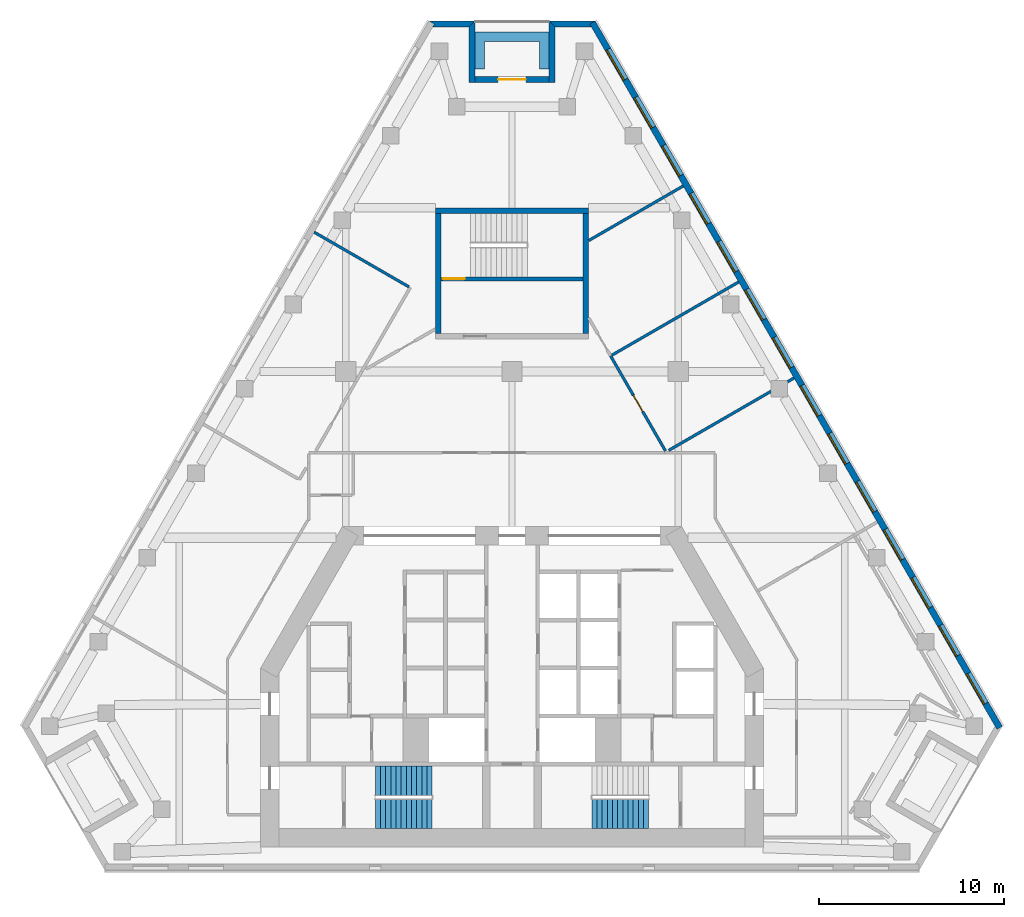
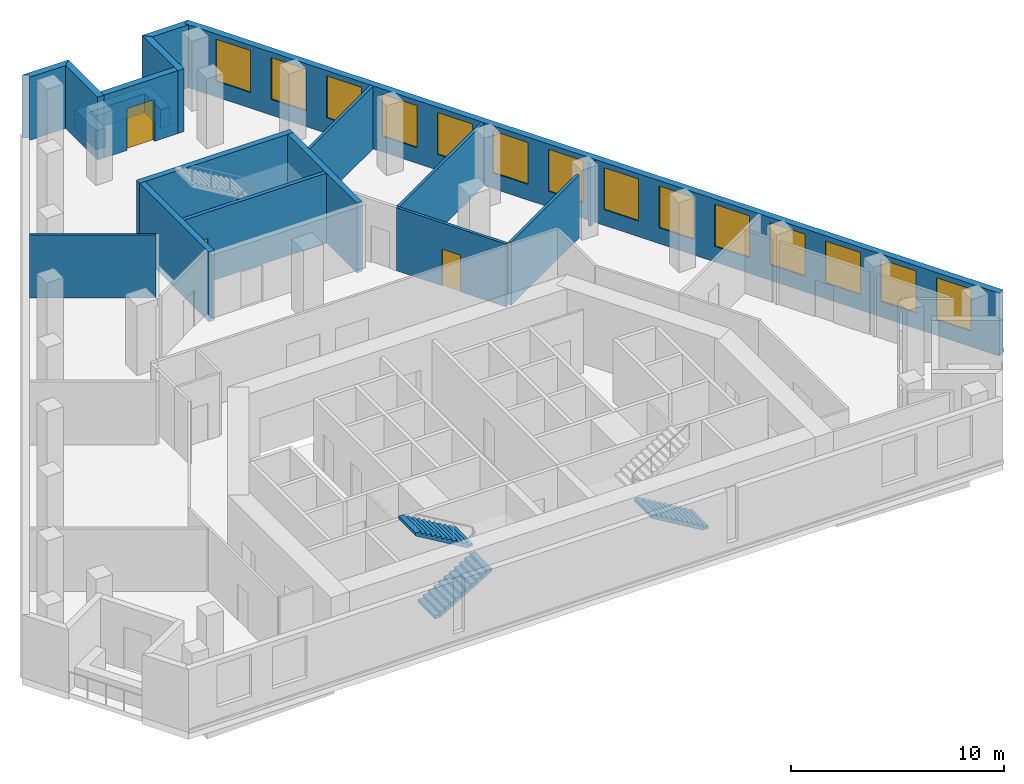
# One storey, part 6 of 8: 17 walls, 14 windows, 3 doors, 3 stair flights, 17 openings, 2 elements without a shape of their own.
"""IFC4 building model written with IfcOpenShell, lengths in metres."""

from ifc_helpers import new_model, si_unit, direction, frame, frame_2d, origin, place, context, subcontext, project, spatial, polyline, rectangle, outline, extrude, material, layer, layer_set, type_object, element, fill, aggregate, save


model = new_model("IFC4")

# Units and contexts
model_context = context("Model", 3, precision=1e-05, world=origin(), true_north=direction((0.0, 1.0)))
body_context = subcontext(model_context, "Body", "Model", "MODEL_VIEW")
ifc_project = project(units=[si_unit("LENGTHUNIT", "METRE"), si_unit("AREAUNIT", "SQUARE_METRE"), si_unit("VOLUMEUNIT", "CUBIC_METRE"), si_unit("PLANEANGLEUNIT", "RADIAN"), si_unit("MASSUNIT", "GRAM", prefix="KILO")], contexts=[model_context])

# Site, building, storey
site_placement = place(None, origin())
site = spatial("IfcSite", under=ifc_project, at=site_placement, CompositionType="ELEMENT")
building_placement = place(site_placement, origin())
building = spatial("IfcBuilding", under=site, at=building_placement, Name="Fogline Exchange Tower", CompositionType="ELEMENT")
storey_placement = place(building_placement, frame((0.0, 0.0, 239.5)))
storey = spatial("IfcBuildingStorey", under=building, at=storey_placement, Name="L54", CompositionType="ELEMENT", Elevation=239.5)

# Wall, opening, door
ifc_material_1 = material(Name="Concrete C40", Category="concrete")
ifc_layer_1 = layer(ifc_material_1, 0.199951171875)
ifc_layer_set_1 = layer_set([ifc_layer_1], Name="CW20R")
wall_type_1 = type_object("IfcWallType", Name="CW20R", PredefinedType="SOLIDWALL", material=ifc_layer_set_1)
wall_1_placement = place(storey_placement, frame((-3.85009765625, 32.007080078125, -0.39990234375), z_axis=(0.0, 0.0, 1.0), x_axis=(1.0, 0.0, 0.0)))
wall_1 = element("IfcWall", 1, at=wall_1_placement, inside=storey, type_object=wall_type_1, Name="Stair enclosure wall ST3", PredefinedType="SOLIDWALL", context=body_context, shape_type="SweptSolid", body=[
    extrude(rectangle(XDim=7.7001953125, YDim=0.199951171875, at=frame_2d((3.85009765625, 0.0))), origin(), (0.0, 0.0, 1.0), 4.0),
])
opening_1_placement = place(wall_1_placement, frame((0.10009765625, 0.0, 0.39990234375)))
opening_1 = element("IfcOpeningElement", 2, at=opening_1_placement, cuts=wall_1, Name="Opening T17-C026", PredefinedType="OPENING", context=body_context, shape_type="SweptSolid", body=[
    extrude(rectangle(XDim=1.199951171875, YDim=2.10009765625, at=frame_2d((0.60009765625, 1.050048828125))), frame((0.0, 0.10986328125, 0.0), z_axis=(0.0, -1.0, 0.0), x_axis=(1.0, 0.0, 0.0)), (0.0, 0.0, 1.0), 0.219970703125),
])
ifc_material_2 = material(Name="Steel and timber fire door", Category="steel")
door_type_1 = type_object("IfcDoorType", Name="D-ST1", OperationType="SINGLE_SWING_LEFT", PredefinedType="DOOR", material=ifc_material_2)
door_1_placement = place(opening_1_placement, origin())
door_1 = element("IfcDoor", 3, at=door_1_placement, inside=storey, type_object=door_type_1, Name="Stair door ST3", OperationType="SINGLE_SWING_LEFT", OverallHeight=2.10009765625, OverallWidth=1.199951171875, PredefinedType="DOOR", context=body_context, shape_type="SweptSolid", body=[
    extrude(rectangle(XDim=1.199951171875, YDim=2.10009765625, at=frame_2d((0.60009765625, 1.050048828125))), frame((0.0, 0.02490234375, 0.0), z_axis=(0.0, -1.0, 0.0), x_axis=(1.0, 0.0, 0.0)), (0.0, 0.0, 1.0), 0.050048828125),
])
fill(opening_1, door_1)

# Walls
ifc_layer_2 = layer(ifc_material_1, 0.300048828125)
ifc_layer_set_2 = layer_set([ifc_layer_2], Name="CW30")
wall_type_2 = type_object("IfcWallType", Name="CW30", PredefinedType="SOLIDWALL", material=ifc_layer_set_2)
wall_2_placement = place(storey_placement, frame((-4.14990234375, 35.70703125, -0.39990234375), z_axis=(0.0, 0.0, 1.0), x_axis=(1.0, 0.0, 0.0)))
element("IfcWall", 4, at=wall_2_placement, inside=storey, type_object=wall_type_2, Name="Stair enclosure wall ST3", PredefinedType="SOLIDWALL", context=body_context, shape_type="SweptSolid", body=[
    extrude(rectangle(XDim=8.2998046875, YDim=0.300048828125, at=frame_2d((4.14990234375, 0.0))), origin(), (0.0, 0.0, 1.0), 4.0),
])
for number, where, z_axis, x_axis, name in (
    (5, (-4.0, 29.056884765625, -0.39990234375), (0.0, 0.0, 1.0), (0.0, 1.0, 0.0), "Stair enclosure wall ST3"),
    (6, (4.0, 29.056884765625, -0.39990234375), (0.0, 0.0, 1.0), (0.0, 1.0, 0.0), "Stair enclosure wall ST3"),
):
    element("IfcWall", number, at=place(storey_placement, frame(where, z_axis=z_axis, x_axis=x_axis)), inside=storey, type_object=wall_type_2, Name=name, PredefinedType="SOLIDWALL", context=body_context, shape_type="SweptSolid", body=[
        extrude(rectangle(XDim=6.5, YDim=0.300048828125, at=frame_2d((3.25, 0.0))), origin(), (0.0, 0.0, 1.0), 4.0),
    ])

# Wall, openings, windows
ifc_material_3 = material(Name="Brick masonry", Category="masonry")
ifc_layer_3 = layer(ifc_material_3, 0.340087890625)
ifc_layer_set_3 = layer_set([ifc_layer_3], Name="FW1")
wall_type_3 = type_object("IfcWallType", Name="FW1", PredefinedType="SOLIDWALL", material=ifc_layer_set_3)
wall_3_placement = place(storey_placement, frame((26.39453125, 7.709228515625, 0.0), z_axis=(0.0, 0.0, 1.0), x_axis=(-0.499999383836, 0.866025759527, 0.0)))
wall_3 = element("IfcWall", 7, at=wall_3_placement, inside=storey, type_object=wall_type_3, Name="Brick wall L54 E", PredefinedType="SOLIDWALL", context=body_context, shape_type="SweptSolid", body=[
    extrude(rectangle(XDim=44.08349609375, YDim=0.340087890625, at=frame_2d((22.041748046875, 0.0))), origin(), (0.0, 0.0, 1.0), 3.60009765625),
])
opening_2_placement = place(wall_3_placement, frame((1.520751953125, 0.0, 0.89990234375)))
opening_2 = element("IfcOpeningElement", 8, at=opening_2_placement, cuts=wall_3, Name="Opening W1", PredefinedType="OPENING", context=body_context, shape_type="SweptSolid", body=[
    extrude(rectangle(XDim=1.885009765625, YDim=2.39990234375, at=frame_2d((0.9423828125, 1.199951171875))), frame((0.0, 0.18017578125, 0.0), z_axis=(0.0, -1.0, 0.0), x_axis=(1.0, 0.0, 0.0)), (0.0, 0.0, 1.0), 0.360107421875),
])
opening_3_placement = place(wall_3_placement, frame((4.520751953125, 0.0, 0.89990234375)))
opening_3 = element("IfcOpeningElement", 9, at=opening_3_placement, cuts=wall_3, Name="Opening W1", PredefinedType="OPENING", context=body_context, shape_type="SweptSolid", body=[
    extrude(rectangle(XDim=1.885009765625, YDim=2.39990234375, at=frame_2d((0.9423828125, 1.199951171875))), frame((0.0, 0.18017578125, 0.0), z_axis=(0.0, -1.0, 0.0), x_axis=(1.0, 0.0, 0.0)), (0.0, 0.0, 1.0), 0.360107421875),
])
opening_4_placement = place(wall_3_placement, frame((7.520751953125, 0.0, 0.89990234375)))
opening_4 = element("IfcOpeningElement", 10, at=opening_4_placement, cuts=wall_3, Name="Opening W1", PredefinedType="OPENING", context=body_context, shape_type="SweptSolid", body=[
    extrude(rectangle(XDim=1.885009765625, YDim=2.39990234375, at=frame_2d((0.9423828125, 1.199951171875))), frame((0.0, 0.18017578125, 0.0), z_axis=(0.0, -1.0, 0.0), x_axis=(1.0, 0.0, 0.0)), (0.0, 0.0, 1.0), 0.360107421875),
])
opening_5_placement = place(wall_3_placement, frame((10.520751953125, 0.0, 0.89990234375)))
opening_5 = element("IfcOpeningElement", 11, at=opening_5_placement, cuts=wall_3, Name="Opening W1", PredefinedType="OPENING", context=body_context, shape_type="SweptSolid", body=[
    extrude(rectangle(XDim=1.885009765625, YDim=2.39990234375, at=frame_2d((0.9423828125, 1.199951171875))), frame((0.0, 0.18017578125, 0.0), z_axis=(0.0, -1.0, 0.0), x_axis=(1.0, 0.0, 0.0)), (0.0, 0.0, 1.0), 0.360107421875),
])
opening_6_placement = place(wall_3_placement, frame((13.520751953125, 0.0, 0.89990234375)))
opening_6 = element("IfcOpeningElement", 12, at=opening_6_placement, cuts=wall_3, Name="Opening W1", PredefinedType="OPENING", context=body_context, shape_type="SweptSolid", body=[
    extrude(rectangle(XDim=1.885009765625, YDim=2.39990234375, at=frame_2d((0.9423828125, 1.199951171875))), frame((0.0, 0.18017578125, 0.0), z_axis=(0.0, -1.0, 0.0), x_axis=(1.0, 0.0, 0.0)), (0.0, 0.0, 1.0), 0.360107421875),
])
opening_7_placement = place(wall_3_placement, frame((16.520751953125, 0.0, 0.89990234375)))
opening_7 = element("IfcOpeningElement", 13, at=opening_7_placement, cuts=wall_3, Name="Opening W1", PredefinedType="OPENING", context=body_context, shape_type="SweptSolid", body=[
    extrude(rectangle(XDim=1.885009765625, YDim=2.39990234375, at=frame_2d((0.9423828125, 1.199951171875))), frame((0.0, 0.18017578125, 0.0), z_axis=(0.0, -1.0, 0.0), x_axis=(1.0, 0.0, 0.0)), (0.0, 0.0, 1.0), 0.360107421875),
])
opening_8_placement = place(wall_3_placement, frame((19.520751953125, 0.0, 0.89990234375)))
opening_8 = element("IfcOpeningElement", 14, at=opening_8_placement, cuts=wall_3, Name="Opening W1", PredefinedType="OPENING", context=body_context, shape_type="SweptSolid", body=[
    extrude(rectangle(XDim=1.885009765625, YDim=2.39990234375, at=frame_2d((0.9423828125, 1.199951171875))), frame((0.0, 0.18017578125, 0.0), z_axis=(0.0, -1.0, 0.0), x_axis=(1.0, 0.0, 0.0)), (0.0, 0.0, 1.0), 0.360107421875),
])
opening_9_placement = place(wall_3_placement, frame((22.520751953125, 0.0, 0.89990234375)))
opening_9 = element("IfcOpeningElement", 15, at=opening_9_placement, cuts=wall_3, Name="Opening W1", PredefinedType="OPENING", context=body_context, shape_type="SweptSolid", body=[
    extrude(rectangle(XDim=1.885009765625, YDim=2.39990234375, at=frame_2d((0.9423828125, 1.199951171875))), frame((0.0, 0.18017578125, 0.0), z_axis=(0.0, -1.0, 0.0), x_axis=(1.0, 0.0, 0.0)), (0.0, 0.0, 1.0), 0.360107421875),
])
opening_10_placement = place(wall_3_placement, frame((25.520751953125, 0.0, 0.89990234375)))
opening_10 = element("IfcOpeningElement", 16, at=opening_10_placement, cuts=wall_3, Name="Opening W1", PredefinedType="OPENING", context=body_context, shape_type="SweptSolid", body=[
    extrude(rectangle(XDim=1.885009765625, YDim=2.39990234375, at=frame_2d((0.9423828125, 1.199951171875))), frame((0.0, 0.18017578125, 0.0), z_axis=(0.0, -1.0, 0.0), x_axis=(1.0, 0.0, 0.0)), (0.0, 0.0, 1.0), 0.360107421875),
])
opening_11_placement = place(wall_3_placement, frame((28.520751953125, 0.0, 0.89990234375)))
opening_11 = element("IfcOpeningElement", 17, at=opening_11_placement, cuts=wall_3, Name="Opening W1", PredefinedType="OPENING", context=body_context, shape_type="SweptSolid", body=[
    extrude(rectangle(XDim=1.885009765625, YDim=2.39990234375, at=frame_2d((0.9423828125, 1.199951171875))), frame((0.0, 0.18017578125, 0.0), z_axis=(0.0, -1.0, 0.0), x_axis=(1.0, 0.0, 0.0)), (0.0, 0.0, 1.0), 0.360107421875),
])
opening_12_placement = place(wall_3_placement, frame((31.520751953125, 0.0, 0.89990234375)))
opening_12 = element("IfcOpeningElement", 18, at=opening_12_placement, cuts=wall_3, Name="Opening W1", PredefinedType="OPENING", context=body_context, shape_type="SweptSolid", body=[
    extrude(rectangle(XDim=1.885009765625, YDim=2.39990234375, at=frame_2d((0.9423828125, 1.199951171875))), frame((0.0, 0.18017578125, 0.0), z_axis=(0.0, -1.0, 0.0), x_axis=(1.0, 0.0, 0.0)), (0.0, 0.0, 1.0), 0.360107421875),
])
opening_13_placement = place(wall_3_placement, frame((34.520751953125, 0.0, 0.89990234375)))
opening_13 = element("IfcOpeningElement", 19, at=opening_13_placement, cuts=wall_3, Name="Opening W1", PredefinedType="OPENING", context=body_context, shape_type="SweptSolid", body=[
    extrude(rectangle(XDim=1.885009765625, YDim=2.39990234375, at=frame_2d((0.9423828125, 1.199951171875))), frame((0.0, 0.18017578125, 0.0), z_axis=(0.0, -1.0, 0.0), x_axis=(1.0, 0.0, 0.0)), (0.0, 0.0, 1.0), 0.360107421875),
])
opening_14_placement = place(wall_3_placement, frame((37.520751953125, 0.0, 0.89990234375)))
opening_14 = element("IfcOpeningElement", 20, at=opening_14_placement, cuts=wall_3, Name="Opening W1", PredefinedType="OPENING", context=body_context, shape_type="SweptSolid", body=[
    extrude(rectangle(XDim=1.885009765625, YDim=2.39990234375, at=frame_2d((0.9423828125, 1.199951171875))), frame((0.0, 0.18017578125, 0.0), z_axis=(0.0, -1.0, 0.0), x_axis=(1.0, 0.0, 0.0)), (0.0, 0.0, 1.0), 0.360107421875),
])
opening_15_placement = place(wall_3_placement, frame((40.520751953125, 0.0, 0.89990234375)))
opening_15 = element("IfcOpeningElement", 21, at=opening_15_placement, cuts=wall_3, Name="Opening W1", PredefinedType="OPENING", context=body_context, shape_type="SweptSolid", body=[
    extrude(rectangle(XDim=1.885009765625, YDim=2.39990234375, at=frame_2d((0.9423828125, 1.199951171875))), frame((0.0, 0.18017578125, 0.0), z_axis=(0.0, -1.0, 0.0), x_axis=(1.0, 0.0, 0.0)), (0.0, 0.0, 1.0), 0.360107421875),
])
ifc_material_4 = material(Name="Aluminium and glass", Category="aluminium")
window_type = type_object("IfcWindowType", Name="W1", PartitioningType="SINGLE_PANEL", PredefinedType="WINDOW", material=ifc_material_4)
window_1_placement = place(opening_2_placement, origin())
window_1 = element("IfcWindow", 22, at=window_1_placement, inside=storey, type_object=window_type, Name="W1 W1", OverallHeight=2.39990234375, OverallWidth=1.885009765625, PartitioningType="SINGLE_PANEL", PredefinedType="WINDOW", context=body_context, shape_type="SweptSolid", body=[
    extrude(rectangle(XDim=1.885009765625, YDim=2.39990234375, at=frame_2d((0.9423828125, 1.199951171875))), frame((0.0, 0.110107421875, 0.0), z_axis=(0.0, -1.0, 0.0), x_axis=(1.0, 0.0, 0.0)), (0.0, 0.0, 1.0), 0.06005859375),
])
fill(opening_2, window_1)
window_2_placement = place(opening_3_placement, origin())
window_2 = element("IfcWindow", 23, at=window_2_placement, inside=storey, type_object=window_type, Name="W1 W1", OverallHeight=2.39990234375, OverallWidth=1.885009765625, PartitioningType="SINGLE_PANEL", PredefinedType="WINDOW", context=body_context, shape_type="SweptSolid", body=[
    extrude(rectangle(XDim=1.885009765625, YDim=2.39990234375, at=frame_2d((0.9423828125, 1.199951171875))), frame((0.0, 0.110107421875, 0.0), z_axis=(0.0, -1.0, 0.0), x_axis=(1.0, 0.0, 0.0)), (0.0, 0.0, 1.0), 0.06005859375),
])
fill(opening_3, window_2)
window_3_placement = place(opening_4_placement, origin())
window_3 = element("IfcWindow", 24, at=window_3_placement, inside=storey, type_object=window_type, Name="W1 W1", OverallHeight=2.39990234375, OverallWidth=1.885009765625, PartitioningType="SINGLE_PANEL", PredefinedType="WINDOW", context=body_context, shape_type="SweptSolid", body=[
    extrude(rectangle(XDim=1.885009765625, YDim=2.39990234375, at=frame_2d((0.9423828125, 1.199951171875))), frame((0.0, 0.110107421875, 0.0), z_axis=(0.0, -1.0, 0.0), x_axis=(1.0, 0.0, 0.0)), (0.0, 0.0, 1.0), 0.06005859375),
])
fill(opening_4, window_3)
window_4_placement = place(opening_5_placement, origin())
window_4 = element("IfcWindow", 25, at=window_4_placement, inside=storey, type_object=window_type, Name="W1 W1", OverallHeight=2.39990234375, OverallWidth=1.885009765625, PartitioningType="SINGLE_PANEL", PredefinedType="WINDOW", context=body_context, shape_type="SweptSolid", body=[
    extrude(rectangle(XDim=1.885009765625, YDim=2.39990234375, at=frame_2d((0.9423828125, 1.199951171875))), frame((0.0, 0.110107421875, 0.0), z_axis=(0.0, -1.0, 0.0), x_axis=(1.0, 0.0, 0.0)), (0.0, 0.0, 1.0), 0.06005859375),
])
fill(opening_5, window_4)
window_5_placement = place(opening_6_placement, origin())
window_5 = element("IfcWindow", 26, at=window_5_placement, inside=storey, type_object=window_type, Name="W1 W1", OverallHeight=2.39990234375, OverallWidth=1.885009765625, PartitioningType="SINGLE_PANEL", PredefinedType="WINDOW", context=body_context, shape_type="SweptSolid", body=[
    extrude(rectangle(XDim=1.885009765625, YDim=2.39990234375, at=frame_2d((0.9423828125, 1.199951171875))), frame((0.0, 0.110107421875, 0.0), z_axis=(0.0, -1.0, 0.0), x_axis=(1.0, 0.0, 0.0)), (0.0, 0.0, 1.0), 0.06005859375),
])
fill(opening_6, window_5)
window_6_placement = place(opening_7_placement, origin())
window_6 = element("IfcWindow", 27, at=window_6_placement, inside=storey, type_object=window_type, Name="W1 W1", OverallHeight=2.39990234375, OverallWidth=1.885009765625, PartitioningType="SINGLE_PANEL", PredefinedType="WINDOW", context=body_context, shape_type="SweptSolid", body=[
    extrude(rectangle(XDim=1.885009765625, YDim=2.39990234375, at=frame_2d((0.9423828125, 1.199951171875))), frame((0.0, 0.110107421875, 0.0), z_axis=(0.0, -1.0, 0.0), x_axis=(1.0, 0.0, 0.0)), (0.0, 0.0, 1.0), 0.06005859375),
])
fill(opening_7, window_6)
window_7_placement = place(opening_8_placement, origin())
window_7 = element("IfcWindow", 28, at=window_7_placement, inside=storey, type_object=window_type, Name="W1 W1", OverallHeight=2.39990234375, OverallWidth=1.885009765625, PartitioningType="SINGLE_PANEL", PredefinedType="WINDOW", context=body_context, shape_type="SweptSolid", body=[
    extrude(rectangle(XDim=1.885009765625, YDim=2.39990234375, at=frame_2d((0.9423828125, 1.199951171875))), frame((0.0, 0.110107421875, 0.0), z_axis=(0.0, -1.0, 0.0), x_axis=(1.0, 0.0, 0.0)), (0.0, 0.0, 1.0), 0.06005859375),
])
fill(opening_8, window_7)
window_8_placement = place(opening_9_placement, origin())
window_8 = element("IfcWindow", 29, at=window_8_placement, inside=storey, type_object=window_type, Name="W1 W1", OverallHeight=2.39990234375, OverallWidth=1.885009765625, PartitioningType="SINGLE_PANEL", PredefinedType="WINDOW", context=body_context, shape_type="SweptSolid", body=[
    extrude(rectangle(XDim=1.885009765625, YDim=2.39990234375, at=frame_2d((0.9423828125, 1.199951171875))), frame((0.0, 0.110107421875, 0.0), z_axis=(0.0, -1.0, 0.0), x_axis=(1.0, 0.0, 0.0)), (0.0, 0.0, 1.0), 0.06005859375),
])
fill(opening_9, window_8)
window_9_placement = place(opening_10_placement, origin())
window_9 = element("IfcWindow", 30, at=window_9_placement, inside=storey, type_object=window_type, Name="W1 W1", OverallHeight=2.39990234375, OverallWidth=1.885009765625, PartitioningType="SINGLE_PANEL", PredefinedType="WINDOW", context=body_context, shape_type="SweptSolid", body=[
    extrude(rectangle(XDim=1.885009765625, YDim=2.39990234375, at=frame_2d((0.9423828125, 1.199951171875))), frame((0.0, 0.110107421875, 0.0), z_axis=(0.0, -1.0, 0.0), x_axis=(1.0, 0.0, 0.0)), (0.0, 0.0, 1.0), 0.06005859375),
])
fill(opening_10, window_9)
window_10_placement = place(opening_11_placement, origin())
window_10 = element("IfcWindow", 31, at=window_10_placement, inside=storey, type_object=window_type, Name="W1 W1", OverallHeight=2.39990234375, OverallWidth=1.885009765625, PartitioningType="SINGLE_PANEL", PredefinedType="WINDOW", context=body_context, shape_type="SweptSolid", body=[
    extrude(rectangle(XDim=1.885009765625, YDim=2.39990234375, at=frame_2d((0.9423828125, 1.199951171875))), frame((0.0, 0.110107421875, 0.0), z_axis=(0.0, -1.0, 0.0), x_axis=(1.0, 0.0, 0.0)), (0.0, 0.0, 1.0), 0.06005859375),
])
fill(opening_11, window_10)
window_11_placement = place(opening_12_placement, origin())
window_11 = element("IfcWindow", 32, at=window_11_placement, inside=storey, type_object=window_type, Name="W1 W1", OverallHeight=2.39990234375, OverallWidth=1.885009765625, PartitioningType="SINGLE_PANEL", PredefinedType="WINDOW", context=body_context, shape_type="SweptSolid", body=[
    extrude(rectangle(XDim=1.885009765625, YDim=2.39990234375, at=frame_2d((0.9423828125, 1.199951171875))), frame((0.0, 0.110107421875, 0.0), z_axis=(0.0, -1.0, 0.0), x_axis=(1.0, 0.0, 0.0)), (0.0, 0.0, 1.0), 0.06005859375),
])
fill(opening_12, window_11)
window_12_placement = place(opening_13_placement, origin())
window_12 = element("IfcWindow", 33, at=window_12_placement, inside=storey, type_object=window_type, Name="W1 W1", OverallHeight=2.39990234375, OverallWidth=1.885009765625, PartitioningType="SINGLE_PANEL", PredefinedType="WINDOW", context=body_context, shape_type="SweptSolid", body=[
    extrude(rectangle(XDim=1.885009765625, YDim=2.39990234375, at=frame_2d((0.9423828125, 1.199951171875))), frame((0.0, 0.110107421875, 0.0), z_axis=(0.0, -1.0, 0.0), x_axis=(1.0, 0.0, 0.0)), (0.0, 0.0, 1.0), 0.06005859375),
])
fill(opening_13, window_12)
window_13_placement = place(opening_14_placement, origin())
window_13 = element("IfcWindow", 34, at=window_13_placement, inside=storey, type_object=window_type, Name="W1 W1", OverallHeight=2.39990234375, OverallWidth=1.885009765625, PartitioningType="SINGLE_PANEL", PredefinedType="WINDOW", context=body_context, shape_type="SweptSolid", body=[
    extrude(rectangle(XDim=1.885009765625, YDim=2.39990234375, at=frame_2d((0.9423828125, 1.199951171875))), frame((0.0, 0.110107421875, 0.0), z_axis=(0.0, -1.0, 0.0), x_axis=(1.0, 0.0, 0.0)), (0.0, 0.0, 1.0), 0.06005859375),
])
fill(opening_14, window_13)
window_14_placement = place(opening_15_placement, origin())
window_14 = element("IfcWindow", 35, at=window_14_placement, inside=storey, type_object=window_type, Name="W1 W1", OverallHeight=2.39990234375, OverallWidth=1.885009765625, PartitioningType="SINGLE_PANEL", PredefinedType="WINDOW", context=body_context, shape_type="SweptSolid", body=[
    extrude(rectangle(XDim=1.885009765625, YDim=2.39990234375, at=frame_2d((0.9423828125, 1.199951171875))), frame((0.0, 0.110107421875, 0.0), z_axis=(0.0, -1.0, 0.0), x_axis=(1.0, 0.0, 0.0)), (0.0, 0.0, 1.0), 0.06005859375),
])
fill(opening_15, window_14)

# Walls
wall_4_placement = place(storey_placement, origin())
element("IfcWall", 36, at=wall_4_placement, inside=storey, type_object=wall_type_3, Name="Brick wall L54 N-c1", PredefinedType="SOLIDWALL", context=body_context, shape_type="SweptSolid", body=[
    extrude(outline(polyline([(1.9990234375, 45.97216796875), (4.5009765625, 45.97216796875), (4.501220703125, 45.9716796875), (4.206298828125, 45.801513671875), (4.3046875, 45.631103515625), (2.33984375, 45.631103515625), (1.998779296875, 45.971923828125), (1.9990234375, 45.97216796875)])), origin(), (0.0, 0.0, 1.0), 3.60009765625),
])
wall_5_placement = place(storey_placement, origin())
element("IfcWall", 37, at=wall_5_placement, inside=storey, type_object=wall_type_3, Name="Brick wall L54 N-s1", PredefinedType="SOLIDWALL", context=body_context, shape_type="SweptSolid", body=[
    extrude(outline(polyline([(2.340576171875, 42.631103515625), (1.99951171875, 42.631103515625), (1.99951171875, 45.97265625), (1.999755859375, 45.972900390625), (2.340576171875, 45.6318359375), (2.340576171875, 42.631103515625)])), origin(), (0.0, 0.0, 1.0), 3.60009765625),
])

# Wall, opening, door
wall_6_placement = place(storey_placement, frame((2.0, 42.8017578125, 0.0), z_axis=(0.0, 0.0, 1.0), x_axis=(-1.0, 0.0, 0.0)))
wall_6 = element("IfcWall", 38, at=wall_6_placement, inside=storey, type_object=wall_type_3, Name="Brick wall L54 N-bk", PredefinedType="SOLIDWALL", context=body_context, shape_type="SweptSolid", body=[
    extrude(rectangle(XDim=4.0, YDim=0.340087890625, at=frame_2d((2.0, 0.0))), origin(), (0.0, 0.0, 1.0), 3.60009765625),
])
opening_16_placement = place(wall_6_placement, frame((1.25, 0.0, 0.0)))
opening_16 = element("IfcOpeningElement", 39, at=opening_16_placement, cuts=wall_6, Name="Opening T17-E141", PredefinedType="OPENING", context=body_context, shape_type="SweptSolid", body=[
    extrude(rectangle(XDim=1.5, YDim=2.39990234375, at=frame_2d((0.75, 1.199951171875))), frame((0.0, 0.18017578125, 0.0), z_axis=(0.0, -1.0, 0.0), x_axis=(1.0, 0.0, 0.0)), (0.0, 0.0, 1.0), 0.360107421875),
])
door_type_2 = type_object("IfcDoorType", Name="ED4", OperationType="SINGLE_SWING_LEFT", PredefinedType="DOOR", material=ifc_material_4)
door_2_placement = place(opening_16_placement, frame((1.5, 0.0, 0.0), z_axis=(0.0, 0.0, 1.0), x_axis=(-1.0, 0.0, 0.0)))
door_2 = element("IfcDoor", 40, at=door_2_placement, inside=storey, type_object=door_type_2, Name="Balcony door L54 N", OperationType="DOUBLE_DOOR_SINGLE_SWING", OverallHeight=2.39990234375, OverallWidth=1.5, PredefinedType="DOOR", context=body_context, shape_type="SweptSolid", body=[
    extrude(rectangle(XDim=1.5, YDim=2.39990234375, at=frame_2d((0.75, 1.199951171875))), frame((0.0, 0.02490234375, 0.0), z_axis=(0.0, -1.0, 0.0), x_axis=(1.0, 0.0, 0.0)), (0.0, 0.0, 1.0), 0.050048828125),
])
fill(opening_16, door_2)

# Walls
wall_7_placement = place(storey_placement, origin())
element("IfcWall", 41, at=wall_7_placement, inside=storey, type_object=wall_type_3, Name="Brick wall L54 N-s2", PredefinedType="SOLIDWALL", context=body_context, shape_type="SweptSolid", body=[
    extrude(outline(polyline([(-1.99951171875, 45.97265625), (-1.99951171875, 42.631103515625), (-2.340576171875, 42.631103515625), (-2.340576171875, 45.6318359375), (-1.999755859375, 45.972900390625), (-1.99951171875, 45.97265625)])), origin(), (0.0, 0.0, 1.0), 3.60009765625),
])
wall_8_placement = place(storey_placement, origin())
element("IfcWall", 42, at=wall_8_placement, inside=storey, type_object=wall_type_3, Name="Brick wall L54 N-c2", PredefinedType="SOLIDWALL", context=body_context, shape_type="SweptSolid", body=[
    extrude(outline(polyline([(-4.3046875, 45.631103515625), (-4.206298828125, 45.801513671875), (-4.501220703125, 45.9716796875), (-4.5009765625, 45.97216796875), (-1.9990234375, 45.97216796875), (-1.998779296875, 45.971923828125), (-2.33984375, 45.631103515625), (-4.3046875, 45.631103515625)])), origin(), (0.0, 0.0, 1.0), 3.60009765625),
])
ifc_material_5 = material(Name="Concrete C30", Category="concrete")
ifc_layer_4 = layer(ifc_material_5, 0.199951171875)
ifc_layer_set_4 = layer_set([ifc_layer_4], Name="PL1")
wall_type_4 = type_object("IfcWallType", Name="PL1", PredefinedType="USERDEFINED", material=ifc_layer_set_4)
wall_9_placement = place(storey_placement, origin())
element("IfcWall", 43, at=wall_9_placement, inside=storey, type_object=wall_type_4, Name="PLANTER balcony L54 N", ObjectType="PLANTER", PredefinedType="USERDEFINED", context=body_context, shape_type="SweptSolid", body=[
    extrude(outline(polyline([(-1.5, 45.37158203125), (-2.0, 45.37158203125), (-2.0, 44.87158203125), (-2.0, 43.37158203125), (-1.5, 43.37158203125), (-1.5, 44.87158203125), (1.5, 44.87158203125), (1.5, 43.37158203125), (2.0, 43.37158203125), (2.0, 44.87158203125), (2.0, 45.37158203125), (1.5, 45.37158203125), (-1.5, 45.37158203125)])), origin(), (0.0, 0.0, 1.0), 1.10009765625),
])
ifc_material_6 = material(Name="Plasterboard demising partition with mineral wool and acoustic board")
ifc_layer_5 = layer(ifc_material_6, 0.14990234375)
ifc_layer_set_5 = layer_set([ifc_layer_5], Name="PW3")
wall_type_5 = type_object("IfcWallType", Name="PW3", PredefinedType="PARTITIONING", material=ifc_layer_set_5)
wall_10_placement = place(storey_placement, frame((8.48046875, 22.727783203125, 0.0), z_axis=(0.0, 0.0, 1.0), x_axis=(0.86602855878, 0.499994535347, 0.0)))
element("IfcWall", 44, at=wall_10_placement, inside=storey, type_object=wall_type_5, Name="wall-L54-W015", PredefinedType="PARTITIONING", context=body_context, shape_type="SweptSolid", body=[
    extrude(rectangle(XDim=6.39501953125, YDim=0.14990234375, at=frame_2d((3.197509765625, 0.0))), origin(), (0.0, 0.0, 1.0), 3.60009765625),
])
wall_11_placement = place(storey_placement, frame((14.918701171875, 26.44482421875, 0.0), z_axis=(0.0, 0.0, 1.0), x_axis=(0.866134844219, 0.499810395679, 0.0)))
element("IfcWall", 45, at=wall_11_placement, inside=storey, type_object=wall_type_5, Name="wall-L54-W016", PredefinedType="PARTITIONING", context=body_context, shape_type="SweptSolid", body=[
    extrude(rectangle(XDim=0.400634765625, YDim=0.14990234375, at=frame_2d((0.2001953125, 0.0))), origin(), (0.0, 0.0, 1.0), 3.60009765625),
])
wall_12_placement = place(storey_placement, frame((5.40234375, 27.878662109375, 0.0), z_axis=(0.0, 0.0, 1.0), x_axis=(0.866018344059, 0.500012227604, 0.0)))
element("IfcWall", 46, at=wall_12_placement, inside=storey, type_object=wall_type_5, Name="wall-L54-W019", PredefinedType="PARTITIONING", context=body_context, shape_type="SweptSolid", body=[
    extrude(rectangle(XDim=7.925048828125, YDim=0.14990234375, at=frame_2d((3.96240234375, 0.0))), origin(), (0.0, 0.0, 1.0), 3.60009765625),
])

# Wall, opening, door
wall_13_placement = place(storey_placement, frame((8.305419921875, 22.700439453125, 0.0), z_axis=(0.0, 0.0, 1.0), x_axis=(-0.499991837581, 0.866030116308, 0.0)))
wall_13 = element("IfcWall", 47, at=wall_13_placement, inside=storey, type_object=wall_type_5, Name="wall-L54-W020", PredefinedType="PARTITIONING", context=body_context, shape_type="SweptSolid", body=[
    extrude(rectangle(XDim=5.93603515625, YDim=0.14990234375, at=frame_2d((2.968017578125, 0.0))), origin(), (0.0, 0.0, 1.0), 3.60009765625),
])
opening_17_placement = place(wall_13_placement, frame((2.468017578125, 0.0, 0.0)))
opening_17 = element("IfcOpeningElement", 48, at=opening_17_placement, cuts=wall_13, Name="Opening T17-D008", PredefinedType="OPENING", context=body_context, shape_type="SweptSolid", body=[
    extrude(rectangle(XDim=1.0, YDim=2.10009765625, at=frame_2d((0.5, 1.050048828125))), frame((0.0, 0.0849609375, 0.0), z_axis=(0.0, -1.0, 0.0), x_axis=(1.0, 0.0, 0.0)), (0.0, 0.0, 1.0), 0.169921875),
])
ifc_material_7 = material(Name="Fire-rated timber door leaf with steel frame", Category="steel")
door_type_3 = type_object("IfcDoorType", Name="D3", OperationType="SINGLE_SWING_LEFT", PredefinedType="DOOR", material=ifc_material_7)
door_3_placement = place(opening_17_placement, frame((1.0, 0.0, 0.0), z_axis=(0.0, 0.0, 1.0), x_axis=(-1.0, 0.0, 0.0)))
door_3 = element("IfcDoor", 49, at=door_3_placement, inside=storey, type_object=door_type_3, Name="door-L54-D008", OperationType="SINGLE_SWING_RIGHT", OverallHeight=2.10009765625, OverallWidth=1.0, PredefinedType="DOOR", context=body_context, shape_type="SweptSolid", body=[
    extrude(rectangle(XDim=1.0, YDim=2.10009765625, at=frame_2d((0.5, 1.050048828125))), frame((0.0, 0.02490234375, 0.0), z_axis=(0.0, -1.0, 0.0), x_axis=(1.0, 0.0, 0.0)), (0.0, 0.0, 1.0), 0.050048828125),
])
fill(opening_17, door_3)

# Walls
wall_14_placement = place(storey_placement, frame((4.14990234375, 34.083984375, 0.0), z_axis=(0.0, 0.0, 1.0), x_axis=(0.866039676728, 0.499975277722, 0.0)))
element("IfcWall", 50, at=wall_14_placement, inside=storey, type_object=wall_type_5, Name="wall-L54-W021", PredefinedType="PARTITIONING", context=body_context, shape_type="SweptSolid", body=[
    extrude(rectangle(XDim=5.906982421875, YDim=0.14990234375, at=frame_2d((2.95361328125, 0.0))), origin(), (0.0, 0.0, 1.0), 3.60009765625),
])
wall_15_placement = place(storey_placement, frame((-5.576904296875, 31.576416015625, 0.0), z_axis=(0.0, 0.0, 1.0), x_axis=(-0.866028447878, 0.499994727438, 0.0)))
element("IfcWall", 51, at=wall_15_placement, inside=storey, type_object=wall_type_5, Name="wall-L54-W025", PredefinedType="PARTITIONING", context=body_context, shape_type="SweptSolid", body=[
    extrude(rectangle(XDim=5.9248046875, YDim=0.14990234375, at=frame_2d((2.96240234375, 0.0))), origin(), (0.0, 0.0, 1.0), 3.60009765625),
])

# Stair, stair flights
stair_type = type_object("IfcStairType", Name="STR24-1667", PredefinedType="HALF_TURN_STAIR", material=ifc_material_1)
stair_1_placement = place(storey_placement, origin())
stair_1 = element("IfcStair", 52, at=stair_1_placement, inside=storey, type_object=stair_type, Name="Stair ST1", PredefinedType="HALF_TURN_STAIR")
stair_flight_type = type_object("IfcStairFlightType", Name="SF12-1667", PredefinedType="STRAIGHT", material=ifc_material_1)
stair_flight_1_placement = place(storey_placement, frame((-7.39990234375, 3.050048828125, 0.0), z_axis=(0.0, 0.0, 1.0), x_axis=(1.0, 0.0, 0.0)))
stair_flight_1 = element("IfcStairFlight", 53, at=stair_flight_1_placement, type_object=stair_flight_type, Name="ST1 flight 1", NumberOfRisers=12, NumberOfTreads=11, PredefinedType="STRAIGHT", RiserHeight=0.166666667, TreadLength=0.28, context=body_context, shape_type="SweptSolid", body=[
    extrude(outline(polyline([(0.0, 0.0), (0.0, 0.166748046875), (0.280029296875, 0.166748046875), (0.280029296875, 0.333251953125), (0.56005859375, 0.333251953125), (0.56005859375, 0.5), (0.840087890625, 0.5), (0.840087890625, 0.666748046875), (1.1201171875, 0.666748046875), (1.1201171875, 0.833251953125), (1.39990234375, 0.833251953125), (1.39990234375, 1.0), (1.679931640625, 1.0), (1.679931640625, 1.166748046875), (1.9599609375, 1.166748046875), (1.9599609375, 1.333251953125), (2.239990234375, 1.333251953125), (2.239990234375, 1.5), (2.52001953125, 1.5), (2.52001953125, 1.666748046875), (2.800048828125, 1.666748046875), (2.800048828125, 1.833251953125), (3.080078125, 1.833251953125), (3.080078125, 2.0), (3.080078125, 1.658935546875), (0.29296875, 0.0), (0.0, 0.0)])), frame((0.0, 0.800048828125, 0.0), z_axis=(0.0, -1.0, 0.0), x_axis=(1.0, 0.0, 0.0)), (0.0, 0.0, 1.0), 1.60009765625),
])
stair_flight_2_placement = place(storey_placement, frame((-4.320068359375, 4.85009765625, 2.0), z_axis=(0.0, 0.0, 1.0), x_axis=(-1.0, 0.0, 0.0)))
stair_flight_2 = element("IfcStairFlight", 54, at=stair_flight_2_placement, type_object=stair_flight_type, Name="ST1 flight 2", NumberOfRisers=12, NumberOfTreads=11, PredefinedType="STRAIGHT", RiserHeight=0.166666667, TreadLength=0.28, context=body_context, shape_type="SweptSolid", body=[
    extrude(outline(polyline([(0.0, 0.0), (0.0, 0.166748046875), (0.280029296875, 0.166748046875), (0.280029296875, 0.333251953125), (0.56005859375, 0.333251953125), (0.56005859375, 0.5), (0.840087890625, 0.5), (0.840087890625, 0.666748046875), (1.1201171875, 0.666748046875), (1.1201171875, 0.833251953125), (1.39990234375, 0.833251953125), (1.39990234375, 1.0), (1.679931640625, 1.0), (1.679931640625, 1.166748046875), (1.9599609375, 1.166748046875), (1.9599609375, 1.333251953125), (2.239990234375, 1.333251953125), (2.239990234375, 1.5), (2.52001953125, 1.5), (2.52001953125, 1.666748046875), (2.800048828125, 1.666748046875), (2.800048828125, 1.833251953125), (3.080078125, 1.833251953125), (3.080078125, 2.0), (3.080078125, 1.658935546875), (0.29296875, 0.0), (0.0, 0.0)])), frame((0.0, 0.800048828125, 0.0), z_axis=(0.0, -1.0, 0.0), x_axis=(1.0, 0.0, 0.0)), (0.0, 0.0, 1.0), 1.60009765625),
])
aggregate(stair_1, [stair_flight_1, stair_flight_2])

# Stair, stair flight
stair_2_placement = place(storey_placement, origin())
stair_2 = element("IfcStair", 55, at=stair_2_placement, inside=storey, type_object=stair_type, Name="Stair ST2", PredefinedType="HALF_TURN_STAIR")
stair_flight_3_placement = place(storey_placement, frame((7.39990234375, 3.050048828125, 0.0), z_axis=(0.0, 0.0, 1.0), x_axis=(-1.0, 0.0, 0.0)))
stair_flight_3 = element("IfcStairFlight", 56, at=stair_flight_3_placement, type_object=stair_flight_type, Name="ST2 flight 1", NumberOfRisers=12, NumberOfTreads=11, PredefinedType="STRAIGHT", RiserHeight=0.166666667, TreadLength=0.28, context=body_context, shape_type="SweptSolid", body=[
    extrude(outline(polyline([(0.0, 0.0), (0.0, 0.166748046875), (0.280029296875, 0.166748046875), (0.280029296875, 0.333251953125), (0.56005859375, 0.333251953125), (0.56005859375, 0.5), (0.840087890625, 0.5), (0.840087890625, 0.666748046875), (1.1201171875, 0.666748046875), (1.1201171875, 0.833251953125), (1.39990234375, 0.833251953125), (1.39990234375, 1.0), (1.679931640625, 1.0), (1.679931640625, 1.166748046875), (1.9599609375, 1.166748046875), (1.9599609375, 1.333251953125), (2.239990234375, 1.333251953125), (2.239990234375, 1.5), (2.52001953125, 1.5), (2.52001953125, 1.666748046875), (2.800048828125, 1.666748046875), (2.800048828125, 1.833251953125), (3.080078125, 1.833251953125), (3.080078125, 2.0), (3.080078125, 1.658935546875), (0.29296875, 0.0), (0.0, 0.0)])), frame((0.0, 0.800048828125, 0.0), z_axis=(0.0, -1.0, 0.0), x_axis=(1.0, 0.0, 0.0)), (0.0, 0.0, 1.0), 1.60009765625),
])
aggregate(stair_2, [stair_flight_3])

save(model, "model.ifc")
